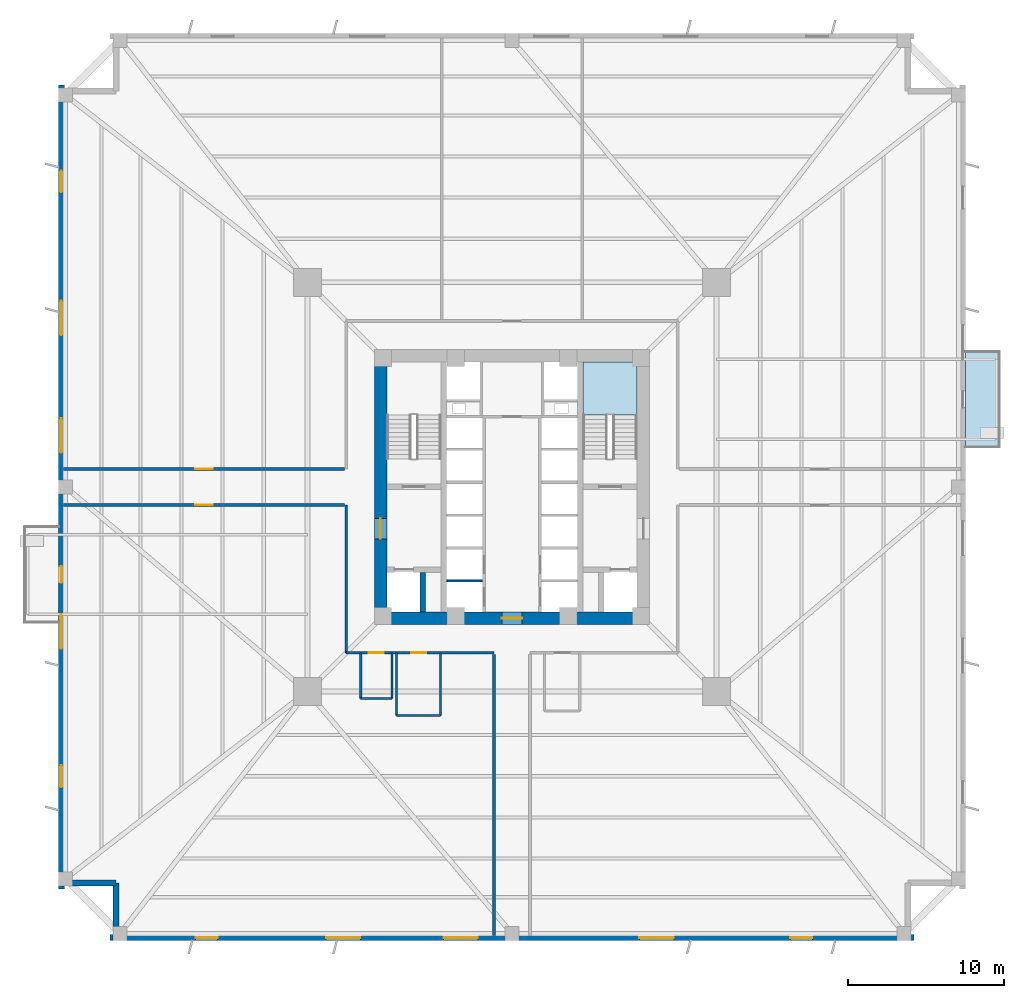
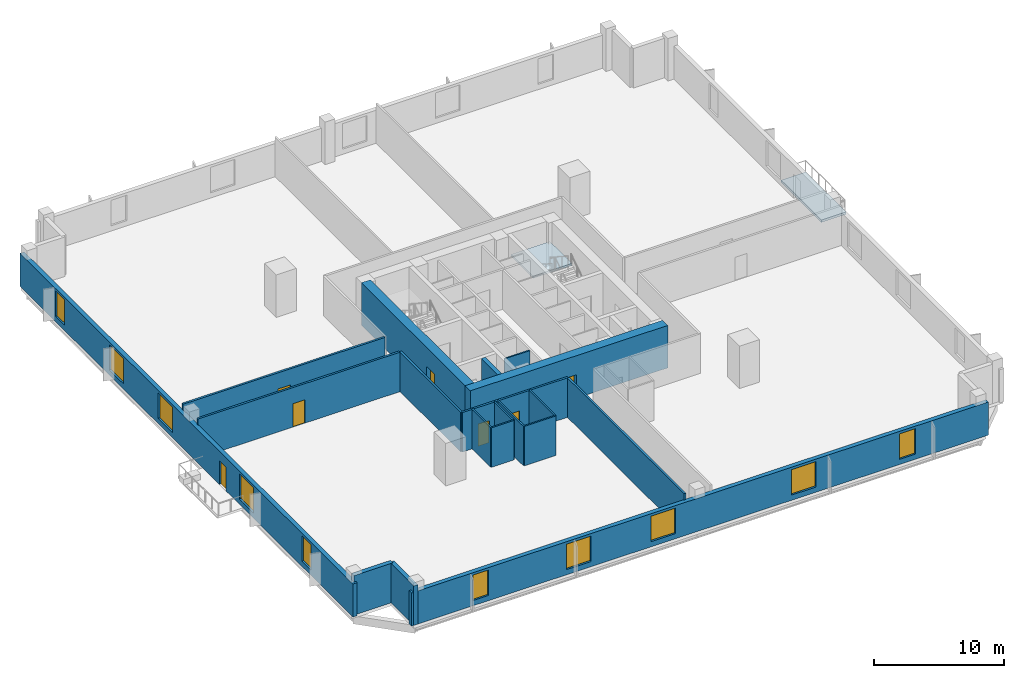
# One storey, part 2 of 8: 19 walls, 10 windows, 7 doors, 2 slabs, 17 openings, 1 element without a shape of its own.
"""IFC4 building model written with IfcOpenShell, lengths in metres."""

from ifc_helpers import new_model, si_unit, direction, frame, frame_2d, origin, place, context, subcontext, project, spatial, polyline, rectangle, outline, extrude, source, transform, mapped, material, layer, layer_set, type_object, element, fill, aggregate, save


model = new_model("IFC4")

# Units and contexts
model_context = context("Model", 3, precision=1e-05, world=origin(), true_north=direction((0.0, 1.0)))
body_context = subcontext(model_context, "Body", "Model", "MODEL_VIEW")
ifc_project = project(units=[si_unit("LENGTHUNIT", "METRE"), si_unit("AREAUNIT", "SQUARE_METRE"), si_unit("VOLUMEUNIT", "CUBIC_METRE"), si_unit("PLANEANGLEUNIT", "RADIAN"), si_unit("MASSUNIT", "GRAM", prefix="KILO"), si_unit("THERMODYNAMICTEMPERATUREUNIT", "KELVIN")], contexts=[model_context])

# Site, building, storey
site_placement = place(None, origin())
site = spatial("IfcSite", under=ifc_project, at=site_placement, CompositionType="ELEMENT")
building_placement = place(site_placement, origin())
building = spatial("IfcBuilding", under=site, at=building_placement, Name="Kosmvard Interchange Tower", CompositionType="ELEMENT")
storey_placement = place(building_placement, frame((0.0, 0.0, 34.0)))
storey = spatial("IfcBuildingStorey", under=building, at=storey_placement, Name="L07", CompositionType="ELEMENT", Elevation=34.0)

# Stair, slab
ifc_material_1 = material(Name="Concrete C50/60", Category="concrete")
stair_type = type_object("IfcStairType", Name="Dog-Leg Core Exit Stair H4000 C50/60", PredefinedType="HALF_TURN_STAIR", material=ifc_material_1)
stair_placement = place(storey_placement, origin())
stair = element("IfcStair", 1, at=stair_placement, inside=storey, type_object=stair_type, Name="L07 Protected Exit Stair ST-2", PredefinedType="HALF_TURN_STAIR")
ifc_layer_1 = layer(ifc_material_1, 0.199951171875, Name="Concrete C50/60")
ifc_layer_set_1 = layer_set([ifc_layer_1], Name="Concrete C50/60")
slab_type_1 = type_object("IfcSlabType", Name="Stair Half-Landing Slab 200 C50/60", PredefinedType="LANDING", material=ifc_layer_set_1)
slab_1_placement = place(storey_placement, frame((0.0, 0.0, 1.800048828125)))
slab_1 = element("IfcSlab", 2, at=slab_1_placement, type_object=slab_type_1, Name="ST-2 landing 1", PredefinedType="LANDING", context=body_context, shape_type="SweptSolid", body=[
    extrude(outline(polyline([(8.0, 4.60009765625), (8.0, 8.0), (4.5400390625, 8.0), (4.5400390625, 4.60009765625), (8.0, 4.60009765625)])), origin(), (0.0, 0.0, 1.0), 0.199951171875),
])
aggregate(stair, [slab_1])

# Slab
ifc_layer_2 = layer(ifc_material_1, 0.22998046875, Name="Concrete C50/60")
ifc_layer_set_2 = layer_set([ifc_layer_2], Name="Concrete C50/60")
slab_type_2 = type_object("IfcSlabType", Name="Tree-Planter Cantilever Balcony Slab 230 C50/60", PredefinedType="FLOOR", material=ifc_layer_set_2)
slab_2_placement = place(storey_placement, frame((0.0, 0.0, -0.22998046875)))
element("IfcSlab", 3, at=slab_2_placement, inside=storey, type_object=slab_type_2, Name="L07 Outdoor Terrace Balcony Slab BAL-L07-E", PredefinedType="FLOOR", context=body_context, shape_type="SweptSolid", body=[
    extrude(outline(polyline([(29.0, 2.5), (31.199951171875, 2.5), (31.199951171875, 8.699951171875), (29.0, 8.699951171875), (29.0, 2.5)])), origin(), (0.0, 0.0, 1.0), 0.22998046875),
])

# Wall, openings, doors
ifc_material_2 = material(Name="Fire-rated gypsum partition system")
ifc_layer_3 = layer(ifc_material_2, 0.179931640625, Name="Fire-rated gypsum partition system")
ifc_layer_set_3 = layer_set([ifc_layer_3], Name="Fire-rated gypsum partition system")
wall_type_1 = type_object("IfcWallType", Name="Corridor & Hotel Compartment Partition 180", PredefinedType="PARTITIONING", material=ifc_layer_set_3)
wall_1_placement = place(storey_placement, frame((-10.60009765625, -10.60009765625, 0.0), z_axis=(0.0, 0.0, 1.0), x_axis=(1.0, 0.0, 0.0)))
wall_1 = element("IfcWall", 4, at=wall_1_placement, inside=storey, type_object=wall_type_1, Name="L07 Corridor Wall CSW", PredefinedType="PARTITIONING", context=body_context, shape_type="SweptSolid", body=[
    extrude(rectangle(XDim=9.4501953125, YDim=0.179931640625, at=frame_2d((4.72509765625, 0.0))), origin(), (0.0, 0.0, 1.0), 3.719970703125),
])
opening_1_placement = place(wall_1_placement, frame((1.455078125, 0.0, 0.0)))
opening_1 = element("IfcOpeningElement", 5, at=opening_1_placement, cuts=wall_1, Name="Opening L07-D01", PredefinedType="OPENING", context=body_context, shape_type="SweptSolid", body=[
    extrude(rectangle(XDim=0.949951171875, YDim=2.10009765625, at=frame_2d((0.47509765625, 1.050048828125))), frame((0.0, 0.10009765625, 0.0), z_axis=(0.0, -1.0, 0.0), x_axis=(1.0, 0.0, 0.0)), (0.0, 0.0, 1.0), 0.199951171875),
])
opening_2_placement = place(wall_1_placement, frame((4.154052734375, 0.0, 0.0)))
opening_2 = element("IfcOpeningElement", 6, at=opening_2_placement, cuts=wall_1, Name="Opening L07-D03", PredefinedType="OPENING", context=body_context, shape_type="SweptSolid", body=[
    extrude(rectangle(XDim=0.949951171875, YDim=2.10009765625, at=frame_2d((0.47509765625, 1.050048828125))), frame((0.0, 0.10009765625, 0.0), z_axis=(0.0, -1.0, 0.0), x_axis=(1.0, 0.0, 0.0)), (0.0, 0.0, 1.0), 0.199951171875),
])
ifc_material_3 = material(Name="Laminated moisture-resistant timber", Category="wood")
door_type_1 = type_object("IfcDoorType", Name="Accessible Washroom Door 950x2100", OperationType="NOTDEFINED", PredefinedType="DOOR", material=ifc_material_3)
shared_shape_1 = source(origin(), body_context, "Body", "SweptSolid", [
    extrude(rectangle(XDim=0.949951171875, YDim=2.10009765625, at=frame_2d((0.47509765625, 1.050048828125))), frame((0.0, 0.02490234375, 0.0), z_axis=(0.0, -1.0, 0.0), x_axis=(1.0, 0.0, 0.0)), (0.0, 0.0, 1.0), 0.050048828125),
])
door_1_placement = place(opening_1_placement, frame((0.949951171875, 0.0, 0.0), z_axis=(0.0, 0.0, 1.0), x_axis=(-1.0, 0.0, 0.0)))
door_1 = element("IfcDoor", 7, at=door_1_placement, inside=storey, type_object=door_type_1, Name="L07 Accessible Toilet Door", OperationType="SINGLE_SWING_LEFT", OverallHeight=2.10009765625, OverallWidth=0.949951171875, PredefinedType="DOOR", context=body_context, shape_type="MappedRepresentation", body=[
    mapped(shared_shape_1, transform((0.0, 0.0, 0.0), scale=1.0)),
])
fill(opening_1, door_1)
door_2_placement = place(opening_2_placement, frame((0.949951171875, 0.0, 0.0), z_axis=(0.0, 0.0, 1.0), x_axis=(-1.0, 0.0, 0.0)))
door_2 = element("IfcDoor", 8, at=door_2_placement, inside=storey, type_object=door_type_1, Name="L07 Staff Catering Pantry Door", OperationType="SINGLE_SWING_LEFT", OverallHeight=2.10009765625, OverallWidth=0.949951171875, PredefinedType="DOOR", context=body_context, shape_type="MappedRepresentation", body=[
    mapped(shared_shape_1, transform((0.0, 0.0, 0.0), scale=1.0)),
])
fill(opening_2, door_2)

# Wall
wall_2_placement = place(storey_placement, frame((-10.60009765625, -10.60009765625, 0.0), z_axis=(0.0, 0.0, 1.0), x_axis=(0.0, 1.0, 0.0)))
element("IfcWall", 9, at=wall_2_placement, inside=storey, type_object=wall_type_1, Name="L07 Corridor Wall CWS", PredefinedType="PARTITIONING", context=body_context, shape_type="SweptSolid", body=[
    extrude(rectangle(XDim=9.4501953125, YDim=0.179931640625, at=frame_2d((4.72509765625, 0.0))), origin(), (0.0, 0.0, 1.0), 3.719970703125),
])

# Wall, opening, door
wall_3_placement = place(storey_placement, frame((-28.68505859375, -1.14990234375, 0.0), z_axis=(0.0, 0.0, 1.0), x_axis=(1.0, 0.0, 0.0)))
wall_3 = element("IfcWall", 10, at=wall_3_placement, inside=storey, type_object=wall_type_1, Name="L07 Corridor Wall SWS", PredefinedType="PARTITIONING", context=body_context, shape_type="SweptSolid", body=[
    extrude(rectangle(XDim=17.985107421875, YDim=0.179931640625, at=frame_2d((8.99267578125, 0.0))), origin(), (0.0, 0.0, 1.0), 3.719970703125),
])
opening_3_placement = place(wall_3_placement, frame((8.4423828125, 0.0, 0.0)))
opening_3 = element("IfcOpeningElement", 11, at=opening_3_placement, cuts=wall_3, Name="Opening L07-D08", PredefinedType="OPENING", context=body_context, shape_type="SweptSolid", body=[
    extrude(rectangle(XDim=1.10009765625, YDim=2.199951171875, at=frame_2d((0.550048828125, 1.10009765625))), frame((0.0, 0.10009765625, 0.0), z_axis=(0.0, -1.0, 0.0), x_axis=(1.0, 0.0, 0.0)), (0.0, 0.0, 1.0), 0.199951171875),
])
ifc_material_4 = material(Name="Engineered oak fire-rated timber", Category="wood")
door_type_2 = type_object("IfcDoorType", Name="Office Suite Entrance Door 1100x2200 FD30S", OperationType="NOTDEFINED", PredefinedType="DOOR", material=ifc_material_4)
shared_shape_2 = source(origin(), body_context, "Body", "SweptSolid", [
    extrude(rectangle(XDim=1.10009765625, YDim=2.199951171875, at=frame_2d((0.550048828125, 1.10009765625))), frame((0.0, 0.02490234375, 0.0), z_axis=(0.0, -1.0, 0.0), x_axis=(1.0, 0.0, 0.0)), (0.0, 0.0, 1.0), 0.050048828125),
])
door_3_placement = place(opening_3_placement, frame((1.10009765625, 0.0, 0.0), z_axis=(0.0, 0.0, 1.0), x_axis=(-1.0, 0.0, 0.0)))
door_3 = element("IfcDoor", 12, at=door_3_placement, inside=storey, type_object=door_type_2, Name="L07 South-West Open Plan Workplace Door", OperationType="SINGLE_SWING_RIGHT", OverallHeight=2.199951171875, OverallWidth=1.10009765625, PredefinedType="DOOR", context=body_context, shape_type="MappedRepresentation", body=[
    mapped(shared_shape_2, transform((0.0, 0.0, 0.0), scale=1.0)),
])
fill(opening_3, door_3)

wall_4_placement = place(storey_placement, frame((-28.68505859375, 1.14990234375, 0.0), z_axis=(0.0, 0.0, 1.0), x_axis=(1.0, 0.0, 0.0)))
wall_4 = element("IfcWall", 13, at=wall_4_placement, inside=storey, type_object=wall_type_1, Name="L07 Corridor Wall SWN", PredefinedType="PARTITIONING", context=body_context, shape_type="SweptSolid", body=[
    extrude(rectangle(XDim=17.985107421875, YDim=0.179931640625, at=frame_2d((8.99267578125, 0.0))), origin(), (0.0, 0.0, 1.0), 3.719970703125),
])
opening_4_placement = place(wall_4_placement, frame((8.4423828125, 0.0, 0.0)))
opening_4 = element("IfcOpeningElement", 14, at=opening_4_placement, cuts=wall_4, Name="Opening L07-D04", PredefinedType="OPENING", context=body_context, shape_type="SweptSolid", body=[
    extrude(rectangle(XDim=1.10009765625, YDim=2.199951171875, at=frame_2d((0.550048828125, 1.10009765625))), frame((0.0, 0.10009765625, 0.0), z_axis=(0.0, -1.0, 0.0), x_axis=(1.0, 0.0, 0.0)), (0.0, 0.0, 1.0), 0.199951171875),
])
door_4_placement = place(opening_4_placement, origin())
door_4 = element("IfcDoor", 15, at=door_4_placement, inside=storey, type_object=door_type_2, Name="L07 North-West Open Plan Workplace Door", OperationType="SINGLE_SWING_RIGHT", OverallHeight=2.199951171875, OverallWidth=1.10009765625, PredefinedType="DOOR", context=body_context, shape_type="MappedRepresentation", body=[
    mapped(shared_shape_2, transform((0.0, 0.0, 0.0), scale=1.0)),
])
fill(opening_4, door_4)

# Wall
wall_5_placement = place(storey_placement, frame((-1.14990234375, -28.68505859375, 0.0), z_axis=(0.0, 0.0, 1.0), x_axis=(0.0, 1.0, 0.0)))
element("IfcWall", 16, at=wall_5_placement, inside=storey, type_object=wall_type_1, Name="L07 Corridor Wall SSW", PredefinedType="PARTITIONING", context=body_context, shape_type="SweptSolid", body=[
    extrude(rectangle(XDim=17.985107421875, YDim=0.179931640625, at=frame_2d((8.99267578125, 0.0))), origin(), (0.0, 0.0, 1.0), 3.719970703125),
])

# Wall, opening, door
ifc_material_5 = material(Name="Concrete C80/95", Category="concrete")
ifc_layer_4 = layer(ifc_material_5, 0.800048828125, Name="Concrete C80/95")
ifc_layer_set_4 = layer_set([ifc_layer_4], Name="Concrete C80/95")
wall_type_2 = type_object("IfcWallType", Name="Lower Core Shear Wall 800 C80/95", PredefinedType="SHEAR", material=ifc_layer_set_4)
wall_6_placement = place(storey_placement, frame((-8.800048828125, -8.39990234375, 0.0), z_axis=(0.0, 0.0, 1.0), x_axis=(1.0, 0.0, 0.0)))
wall_6 = element("IfcWall", 17, at=wall_6_placement, inside=storey, type_object=wall_type_2, Name="L07 Core Shear Wall CW-S", PredefinedType="SHEAR", context=body_context, shape_type="SweptSolid", body=[
    extrude(rectangle(XDim=17.60009765625, YDim=0.800048828125, at=frame_2d((8.800048828125, 0.0))), origin(), (0.0, 0.0, 1.0), 4.0),
])
opening_5_placement = place(wall_6_placement, frame((8.14990234375, 0.0, 0.0)))
opening_5 = element("IfcOpeningElement", 18, at=opening_5_placement, cuts=wall_6, Name="Opening L07-LD0", PredefinedType="OPENING", context=body_context, shape_type="SweptSolid", body=[
    extrude(rectangle(XDim=1.300048828125, YDim=2.199951171875, at=frame_2d((0.64990234375, 1.10009765625))), frame((0.0, 0.41015625, 0.0), z_axis=(0.0, -1.0, 0.0), x_axis=(1.0, 0.0, 0.0)), (0.0, 0.0, 1.0), 0.820068359375),
])
ifc_material_6 = material(Name="Painted fire-rated steel leaf", Category="steel")
door_type_3 = type_object("IfcDoorType", Name="Firefighting Lobby Door 1300x2200 EI60", OperationType="NOTDEFINED", PredefinedType="DOOR", material=ifc_material_6)
shared_shape_3 = source(origin(), body_context, "Body", "SweptSolid", [
    extrude(rectangle(XDim=1.300048828125, YDim=2.199951171875, at=frame_2d((0.64990234375, 1.10009765625))), frame((0.0, 0.02490234375, 0.0), z_axis=(0.0, -1.0, 0.0), x_axis=(1.0, 0.0, 0.0)), (0.0, 0.0, 1.0), 0.050048828125),
])
door_5_placement = place(opening_5_placement, frame((1.300048828125, 0.0, 0.0), z_axis=(0.0, 0.0, 1.0), x_axis=(-1.0, 0.0, 0.0)))
door_5 = element("IfcDoor", 19, at=door_5_placement, inside=storey, type_object=door_type_3, Name="L07 Passenger Lift Lobby South Door", OperationType="SINGLE_SWING_RIGHT", OverallHeight=2.199951171875, OverallWidth=1.300048828125, PredefinedType="DOOR", context=body_context, shape_type="MappedRepresentation", body=[
    mapped(shared_shape_3, transform((0.0, 0.0, 0.0), scale=1.0)),
])
fill(opening_5, door_5)

wall_7_placement = place(storey_placement, frame((-8.39990234375, -8.0, 0.0), z_axis=(0.0, 0.0, 1.0), x_axis=(0.0, 1.0, 0.0)))
wall_7 = element("IfcWall", 20, at=wall_7_placement, inside=storey, type_object=wall_type_2, Name="L07 Core Shear Wall CW-W", PredefinedType="SHEAR", context=body_context, shape_type="SweptSolid", body=[
    extrude(rectangle(XDim=16.0, YDim=0.800048828125, at=frame_2d((8.0, 0.0))), origin(), (0.0, 0.0, 1.0), 4.0),
])
opening_6_placement = place(wall_7_placement, frame((4.68994140625, 0.0, 0.0)))
opening_6 = element("IfcOpeningElement", 21, at=opening_6_placement, cuts=wall_7, Name="Opening L07-FD1", PredefinedType="OPENING", context=body_context, shape_type="SweptSolid", body=[
    extrude(rectangle(XDim=1.300048828125, YDim=2.199951171875, at=frame_2d((0.64990234375, 1.10009765625))), frame((0.0, 0.41015625, 0.0), z_axis=(0.0, -1.0, 0.0), x_axis=(1.0, 0.0, 0.0)), (0.0, 0.0, 1.0), 0.820068359375),
])
door_6_placement = place(opening_6_placement, frame((1.300048828125, 0.0, 0.0), z_axis=(0.0, 0.0, 1.0), x_axis=(-1.0, 0.0, 0.0)))
door_6 = element("IfcDoor", 22, at=door_6_placement, inside=storey, type_object=door_type_3, Name="L07 Firefighting Lobby West Door", OperationType="SINGLE_SWING_LEFT", OverallHeight=2.199951171875, OverallWidth=1.300048828125, PredefinedType="DOOR", context=body_context, shape_type="MappedRepresentation", body=[
    mapped(shared_shape_3, transform((0.0, 0.0, 0.0), scale=1.0)),
])
fill(opening_6, door_6)

# Wall, openings, windows
ifc_material_7 = material(Name="Precast concrete C45/55", Category="concrete")
ifc_layer_5 = layer(ifc_material_7, 0.3798828125, Name="Precast concrete C45/55")
ifc_layer_set_5 = layer_set([ifc_layer_5], Name="Precast concrete C45/55")
wall_type_3 = type_object("IfcWallType", Name="Lower Tower Precast Pier Wall 380 C45/55", PredefinedType="STANDARD", material=ifc_layer_set_5)
wall_8_placement = place(storey_placement, frame((-25.68994140625, -28.81005859375, 0.0), z_axis=(0.0, 0.0, 1.0), x_axis=(1.0, 0.0, 0.0)))
wall_8 = element("IfcWall", 23, at=wall_8_placement, inside=storey, type_object=wall_type_3, Name="L07 Precast Facade Wall F-S", PredefinedType="STANDARD", context=body_context, shape_type="SweptSolid", body=[
    extrude(rectangle(XDim=51.3798828125, YDim=0.3798828125, at=frame_2d((25.68994140625, 0.0))), origin(), (0.0, 0.0, 1.0), 3.1201171875),
])
opening_7_placement = place(wall_8_placement, frame((5.465576171875, 0.0, 0.489990234375)))
opening_7 = element("IfcOpeningElement", 24, at=opening_7_placement, cuts=wall_8, Name="Opening L07-W01", PredefinedType="OPENING", context=body_context, shape_type="SweptSolid", body=[
    extrude(rectangle(XDim=1.39990234375, YDim=2.39990234375, at=frame_2d((0.699951171875, 1.199951171875))), frame((0.0, 0.199951171875, 0.0), z_axis=(0.0, -1.0, 0.0), x_axis=(1.0, 0.0, 0.0)), (0.0, 0.0, 1.0), 0.39990234375),
])
opening_8_placement = place(wall_8_placement, frame((13.80029296875, 0.0, 0.489990234375)))
opening_8 = element("IfcOpeningElement", 25, at=opening_8_placement, cuts=wall_8, Name="Opening L07-W02", PredefinedType="OPENING", context=body_context, shape_type="SweptSolid", body=[
    extrude(rectangle(XDim=2.199951171875, YDim=2.39990234375, at=frame_2d((1.10009765625, 1.199951171875))), frame((0.0, 0.199951171875, 0.0), z_axis=(0.0, -1.0, 0.0), x_axis=(1.0, 0.0, 0.0)), (0.0, 0.0, 1.0), 0.39990234375),
])
opening_9_placement = place(wall_8_placement, frame((21.3125, 0.0, 0.489990234375)))
opening_9 = element("IfcOpeningElement", 26, at=opening_9_placement, cuts=wall_8, Name="Opening L07-W03", PredefinedType="OPENING", context=body_context, shape_type="SweptSolid", body=[
    extrude(rectangle(XDim=2.199951171875, YDim=2.39990234375, at=frame_2d((1.10009765625, 1.199951171875))), frame((0.0, 0.199951171875, 0.0), z_axis=(0.0, -1.0, 0.0), x_axis=(1.0, 0.0, 0.0)), (0.0, 0.0, 1.0), 0.39990234375),
])
opening_10_placement = place(wall_8_placement, frame((33.83837890625, 0.0, 0.489990234375)))
opening_10 = element("IfcOpeningElement", 27, at=opening_10_placement, cuts=wall_8, Name="Opening L07-W04", PredefinedType="OPENING", context=body_context, shape_type="SweptSolid", body=[
    extrude(rectangle(XDim=2.199951171875, YDim=2.39990234375, at=frame_2d((1.10009765625, 1.199951171875))), frame((0.0, 0.199951171875, 0.0), z_axis=(0.0, -1.0, 0.0), x_axis=(1.0, 0.0, 0.0)), (0.0, 0.0, 1.0), 0.39990234375),
])
opening_11_placement = place(wall_8_placement, frame((43.48681640625, 0.0, 0.489990234375)))
opening_11 = element("IfcOpeningElement", 28, at=opening_11_placement, cuts=wall_8, Name="Opening L07-W05", PredefinedType="OPENING", context=body_context, shape_type="SweptSolid", body=[
    extrude(rectangle(XDim=1.39990234375, YDim=2.39990234375, at=frame_2d((0.699951171875, 1.199951171875))), frame((0.0, 0.199951171875, 0.0), z_axis=(0.0, -1.0, 0.0), x_axis=(1.0, 0.0, 0.0)), (0.0, 0.0, 1.0), 0.39990234375),
])
ifc_material_8 = material(Name="Low-E solar-control double glazing", Category="glass")
window_type_1 = type_object("IfcWindowType", Name="Notched Corner Feature Window 1400x2400", PartitioningType="SINGLE_PANEL", PredefinedType="WINDOW", material=ifc_material_8)
shared_shape_4 = source(origin(), body_context, "Body", "SweptSolid", [
    extrude(rectangle(XDim=1.39990234375, YDim=2.39990234375, at=frame_2d((0.699951171875, 1.199951171875))), frame((0.0, 0.030029296875, 0.0), z_axis=(0.0, -1.0, 0.0), x_axis=(1.0, 0.0, 0.0)), (0.0, 0.0, 1.0), 0.06005859375),
])
window_1_placement = place(opening_7_placement, origin())
window_1 = element("IfcWindow", 29, at=window_1_placement, inside=storey, type_object=window_type_1, Name="L07 Facade Punched Window 01", OverallHeight=2.39990234375, OverallWidth=1.39990234375, PartitioningType="SINGLE_PANEL", PredefinedType="WINDOW", context=body_context, shape_type="MappedRepresentation", body=[
    mapped(shared_shape_4, transform((0.0, 0.0, 0.0), scale=1.0)),
])
fill(opening_7, window_1)
window_2_placement = place(opening_11_placement, origin())
window_2 = element("IfcWindow", 30, at=window_2_placement, inside=storey, type_object=window_type_1, Name="L07 Facade Punched Window 05", OverallHeight=2.39990234375, OverallWidth=1.39990234375, PartitioningType="SINGLE_PANEL", PredefinedType="WINDOW", context=body_context, shape_type="MappedRepresentation", body=[
    mapped(shared_shape_4, transform((0.0, 0.0, 0.0), scale=1.0)),
])
fill(opening_11, window_2)
window_type_2 = type_object("IfcWindowType", Name="Zone 1 Office Punched Window 2200x2400", PartitioningType="SINGLE_PANEL", PredefinedType="WINDOW", material=ifc_material_8)
shared_shape_5 = source(origin(), body_context, "Body", "SweptSolid", [
    extrude(rectangle(XDim=2.199951171875, YDim=2.39990234375, at=frame_2d((1.10009765625, 1.199951171875))), frame((0.0, 0.030029296875, 0.0), z_axis=(0.0, -1.0, 0.0), x_axis=(1.0, 0.0, 0.0)), (0.0, 0.0, 1.0), 0.06005859375),
])
window_3_placement = place(opening_8_placement, origin())
window_3 = element("IfcWindow", 31, at=window_3_placement, inside=storey, type_object=window_type_2, Name="L07 Facade Punched Window 02", OverallHeight=2.39990234375, OverallWidth=2.199951171875, PartitioningType="SINGLE_PANEL", PredefinedType="WINDOW", context=body_context, shape_type="MappedRepresentation", body=[
    mapped(shared_shape_5, transform((0.0, 0.0, 0.0), scale=1.0)),
])
fill(opening_8, window_3)
window_4_placement = place(opening_9_placement, origin())
window_4 = element("IfcWindow", 32, at=window_4_placement, inside=storey, type_object=window_type_2, Name="L07 Facade Punched Window 03", OverallHeight=2.39990234375, OverallWidth=2.199951171875, PartitioningType="SINGLE_PANEL", PredefinedType="WINDOW", context=body_context, shape_type="MappedRepresentation", body=[
    mapped(shared_shape_5, transform((0.0, 0.0, 0.0), scale=1.0)),
])
fill(opening_9, window_4)
window_5_placement = place(opening_10_placement, origin())
window_5 = element("IfcWindow", 33, at=window_5_placement, inside=storey, type_object=window_type_2, Name="L07 Facade Punched Window 04", OverallHeight=2.39990234375, OverallWidth=2.199951171875, PartitioningType="SINGLE_PANEL", PredefinedType="WINDOW", context=body_context, shape_type="MappedRepresentation", body=[
    mapped(shared_shape_5, transform((0.0, 0.0, 0.0), scale=1.0)),
])
fill(opening_10, window_5)

# Wall, openings, door, windows
wall_9_placement = place(storey_placement, frame((-28.81005859375, 25.68994140625, 0.0), z_axis=(0.0, 0.0, 1.0), x_axis=(0.0, -1.0, 0.0)))
wall_9 = element("IfcWall", 34, at=wall_9_placement, inside=storey, type_object=wall_type_3, Name="L07 Precast Facade Wall F-W", PredefinedType="STANDARD", context=body_context, shape_type="SweptSolid", body=[
    extrude(rectangle(XDim=51.3798828125, YDim=0.3798828125, at=frame_2d((25.68994140625, 0.0))), origin(), (0.0, 0.0, 1.0), 3.1201171875),
])
opening_12_placement = place(wall_9_placement, frame((30.764892578125, 0.0, 0.0)))
opening_12 = element("IfcOpeningElement", 35, at=opening_12_placement, cuts=wall_9, Name="Opening L07-BDW", PredefinedType="OPENING", context=body_context, shape_type="SweptSolid", body=[
    extrude(rectangle(XDim=1.050048828125, YDim=2.25, at=frame_2d((0.52490234375, 1.125))), frame((0.0, 0.199951171875, 0.0), z_axis=(0.0, -1.0, 0.0), x_axis=(1.0, 0.0, 0.0)), (0.0, 0.0, 1.0), 0.39990234375),
])
opening_13_placement = place(wall_9_placement, frame((5.465576171875, 0.0, 0.489990234375)))
opening_13 = element("IfcOpeningElement", 36, at=opening_13_placement, cuts=wall_9, Name="Opening L07-W16", PredefinedType="OPENING", context=body_context, shape_type="SweptSolid", body=[
    extrude(rectangle(XDim=1.39990234375, YDim=2.39990234375, at=frame_2d((0.699951171875, 1.199951171875))), frame((0.0, 0.199951171875, 0.0), z_axis=(0.0, -1.0, 0.0), x_axis=(1.0, 0.0, 0.0)), (0.0, 0.0, 1.0), 0.39990234375),
])
opening_14_placement = place(wall_9_placement, frame((13.80029296875, 0.0, 0.489990234375)))
opening_14 = element("IfcOpeningElement", 37, at=opening_14_placement, cuts=wall_9, Name="Opening L07-W17", PredefinedType="OPENING", context=body_context, shape_type="SweptSolid", body=[
    extrude(rectangle(XDim=2.199951171875, YDim=2.39990234375, at=frame_2d((1.10009765625, 1.199951171875))), frame((0.0, 0.199951171875, 0.0), z_axis=(0.0, -1.0, 0.0), x_axis=(1.0, 0.0, 0.0)), (0.0, 0.0, 1.0), 0.39990234375),
])
opening_15_placement = place(wall_9_placement, frame((21.3125, 0.0, 0.489990234375)))
opening_15 = element("IfcOpeningElement", 38, at=opening_15_placement, cuts=wall_9, Name="Opening L07-W18", PredefinedType="OPENING", context=body_context, shape_type="SweptSolid", body=[
    extrude(rectangle(XDim=2.199951171875, YDim=2.39990234375, at=frame_2d((1.10009765625, 1.199951171875))), frame((0.0, 0.199951171875, 0.0), z_axis=(0.0, -1.0, 0.0), x_axis=(1.0, 0.0, 0.0)), (0.0, 0.0, 1.0), 0.39990234375),
])
opening_16_placement = place(wall_9_placement, frame((33.83837890625, 0.0, 0.489990234375)))
opening_16 = element("IfcOpeningElement", 39, at=opening_16_placement, cuts=wall_9, Name="Opening L07-W19", PredefinedType="OPENING", context=body_context, shape_type="SweptSolid", body=[
    extrude(rectangle(XDim=2.199951171875, YDim=2.39990234375, at=frame_2d((1.10009765625, 1.199951171875))), frame((0.0, 0.199951171875, 0.0), z_axis=(0.0, -1.0, 0.0), x_axis=(1.0, 0.0, 0.0)), (0.0, 0.0, 1.0), 0.39990234375),
])
opening_17_placement = place(wall_9_placement, frame((43.48681640625, 0.0, 0.489990234375)))
opening_17 = element("IfcOpeningElement", 40, at=opening_17_placement, cuts=wall_9, Name="Opening L07-W20", PredefinedType="OPENING", context=body_context, shape_type="SweptSolid", body=[
    extrude(rectangle(XDim=1.39990234375, YDim=2.39990234375, at=frame_2d((0.699951171875, 1.199951171875))), frame((0.0, 0.199951171875, 0.0), z_axis=(0.0, -1.0, 0.0), x_axis=(1.0, 0.0, 0.0)), (0.0, 0.0, 1.0), 0.39990234375),
])
ifc_material_9 = material(Name="Anodised aluminium and safety glass", Category="aluminium")
door_type_4 = type_object("IfcDoorType", Name="Tree-Balcony Glazed Door 1050x2250", OperationType="NOTDEFINED", PredefinedType="DOOR", material=ifc_material_9)
shared_shape_6 = source(origin(), body_context, "Body", "SweptSolid", [
    extrude(rectangle(XDim=1.050048828125, YDim=2.25, at=frame_2d((0.52490234375, 1.125))), frame((0.0, 0.02490234375, 0.0), z_axis=(0.0, -1.0, 0.0), x_axis=(1.0, 0.0, 0.0)), (0.0, 0.0, 1.0), 0.050048828125),
])
door_7_placement = place(opening_12_placement, origin())
door_7 = element("IfcDoor", 41, at=door_7_placement, inside=storey, type_object=door_type_4, Name="L07 Tree-Balcony Door BAL-L07-W", OperationType="SINGLE_SWING_RIGHT", OverallHeight=2.25, OverallWidth=1.050048828125, PredefinedType="DOOR", context=body_context, shape_type="MappedRepresentation", body=[
    mapped(shared_shape_6, transform((0.0, 0.0, 0.0), scale=1.0)),
])
fill(opening_12, door_7)
window_6_placement = place(opening_13_placement, origin())
window_6 = element("IfcWindow", 42, at=window_6_placement, inside=storey, type_object=window_type_1, Name="L07 Facade Punched Window 16", OverallHeight=2.39990234375, OverallWidth=1.39990234375, PartitioningType="SINGLE_PANEL", PredefinedType="WINDOW", context=body_context, shape_type="MappedRepresentation", body=[
    mapped(shared_shape_4, transform((0.0, 0.0, 0.0), scale=1.0)),
])
fill(opening_13, window_6)
window_7_placement = place(opening_17_placement, origin())
window_7 = element("IfcWindow", 43, at=window_7_placement, inside=storey, type_object=window_type_1, Name="L07 Facade Punched Window 20", OverallHeight=2.39990234375, OverallWidth=1.39990234375, PartitioningType="SINGLE_PANEL", PredefinedType="WINDOW", context=body_context, shape_type="MappedRepresentation", body=[
    mapped(shared_shape_4, transform((0.0, 0.0, 0.0), scale=1.0)),
])
fill(opening_17, window_7)
window_8_placement = place(opening_14_placement, origin())
window_8 = element("IfcWindow", 44, at=window_8_placement, inside=storey, type_object=window_type_2, Name="L07 Facade Punched Window 17", OverallHeight=2.39990234375, OverallWidth=2.199951171875, PartitioningType="SINGLE_PANEL", PredefinedType="WINDOW", context=body_context, shape_type="MappedRepresentation", body=[
    mapped(shared_shape_5, transform((0.0, 0.0, 0.0), scale=1.0)),
])
fill(opening_14, window_8)
window_9_placement = place(opening_15_placement, origin())
window_9 = element("IfcWindow", 45, at=window_9_placement, inside=storey, type_object=window_type_2, Name="L07 Facade Punched Window 18", OverallHeight=2.39990234375, OverallWidth=2.199951171875, PartitioningType="SINGLE_PANEL", PredefinedType="WINDOW", context=body_context, shape_type="MappedRepresentation", body=[
    mapped(shared_shape_5, transform((0.0, 0.0, 0.0), scale=1.0)),
])
fill(opening_15, window_9)
window_10_placement = place(opening_16_placement, origin())
window_10 = element("IfcWindow", 46, at=window_10_placement, inside=storey, type_object=window_type_2, Name="L07 Facade Punched Window 19", OverallHeight=2.39990234375, OverallWidth=2.199951171875, PartitioningType="SINGLE_PANEL", PredefinedType="WINDOW", context=body_context, shape_type="MappedRepresentation", body=[
    mapped(shared_shape_5, transform((0.0, 0.0, 0.0), scale=1.0)),
])
fill(opening_16, window_10)

# Walls
wall_10_placement = place(storey_placement, frame((-28.81005859375, -25.31005859375, 0.0), z_axis=(0.0, 0.0, 1.0), x_axis=(1.0, 0.0, 0.0)))
element("IfcWall", 47, at=wall_10_placement, inside=storey, type_object=wall_type_3, Name="L07 Precast Facade Wall N-SW1", PredefinedType="STANDARD", context=body_context, shape_type="SweptSolid", body=[
    extrude(rectangle(XDim=3.5, YDim=0.3798828125, at=frame_2d((1.75, 0.0))), origin(), (0.0, 0.0, 1.0), 3.719970703125),
])
wall_11_placement = place(storey_placement, frame((-25.31005859375, -25.31005859375, 0.0), z_axis=(0.0, 0.0, 1.0), x_axis=(0.0, -1.0, 0.0)))
element("IfcWall", 48, at=wall_11_placement, inside=storey, type_object=wall_type_3, Name="L07 Precast Facade Wall N-SW2", PredefinedType="STANDARD", context=body_context, shape_type="SweptSolid", body=[
    extrude(rectangle(XDim=3.68994140625, YDim=0.3798828125, at=frame_2d((1.844970703125, 0.0))), origin(), (0.0, 0.0, 1.0), 3.719970703125),
])
ifc_material_10 = material(Name="Fire-rated gypsum shaftwall system")
ifc_layer_6 = layer(ifc_material_10, 0.1201171875, Name="Fire-rated gypsum shaftwall system")
ifc_layer_set_6 = layer_set([ifc_layer_6], Name="Fire-rated gypsum shaftwall system")
wall_type_4 = type_object("IfcWallType", Name="Shaft & Riser Fire Partition 120 EI60", PredefinedType="PARTITIONING", material=ifc_layer_set_6)
wall_12_placement = place(storey_placement, frame((-4.159912109375, -6.0, 0.0), z_axis=(0.0, 0.0, 1.0), x_axis=(1.0, 0.0, 0.0)))
element("IfcWall", 49, at=wall_12_placement, inside=storey, type_object=wall_type_4, Name="L07 Shaft Divider PL-L1", PredefinedType="PARTITIONING", context=body_context, shape_type="SweptSolid", body=[
    extrude(rectangle(XDim=2.260009765625, YDim=0.1201171875, at=frame_2d((1.1298828125, 0.0))), origin(), (0.0, 0.0, 1.0), 3.719970703125),
])
ifc_material_11 = material(Name="Concrete C60/75", Category="concrete")
ifc_layer_7 = layer(ifc_material_11, 0.360107421875, Name="Concrete C60/75")
ifc_layer_set_7 = layer_set([ifc_layer_7], Name="Concrete C60/75")
wall_type_5 = type_object("IfcWallType", Name="Stair & Lift Shaft Shear Wall 360 C60/75", PredefinedType="SHEAR", material=ifc_layer_set_7)
wall_13_placement = place(storey_placement, frame((-5.7099609375, -8.0, 0.0), z_axis=(0.0, 0.0, 1.0), x_axis=(0.0, 1.0, 0.0)))
element("IfcWall", 50, at=wall_13_placement, inside=storey, type_object=wall_type_5, Name="L07 Shaft Shear Wall SW-SM1", PredefinedType="SHEAR", context=body_context, shape_type="SweptSolid", body=[
    extrude(rectangle(XDim=2.5400390625, YDim=0.360107421875, at=frame_2d((1.27001953125, 0.0))), origin(), (0.0, 0.0, 1.0), 4.0),
])
ifc_material_12 = material(Name="Moisture-resistant gypsum partition")
ifc_layer_8 = layer(ifc_material_12, 0.135009765625, Name="Moisture-resistant gypsum partition")
ifc_layer_set_8 = layer_set([ifc_layer_8], Name="Moisture-resistant gypsum partition")
wall_type_6 = type_object("IfcWallType", Name="Wet Room Moisture-Resistant Partition 135", PredefinedType="PARTITIONING", material=ifc_layer_set_8)
wall_14_placement = place(storey_placement, frame((-9.669921875, -13.52001953125, 0.0), z_axis=(0.0, 0.0, 1.0), x_axis=(1.0, 0.0, 0.0)))
element("IfcWall", 51, at=wall_14_placement, inside=storey, type_object=wall_type_6, Name="L07 Washroom Partition AWC1-S", PredefinedType="PARTITIONING", context=body_context, shape_type="SweptSolid", body=[
    extrude(rectangle(XDim=2.0, YDim=0.135009765625, at=frame_2d((1.0, 0.0))), origin(), (0.0, 0.0, 1.0), 3.719970703125),
])
for number, where, z_axis, x_axis, name in (
    (52, (-7.669921875, -13.52001953125, 0.0), (0.0, 0.0, 1.0), (0.0, 1.0, 0.0), "L07 Washroom Partition AWC1-E"),
    (53, (-9.669921875, -13.52001953125, 0.0), (0.0, 0.0, 1.0), (0.0, 1.0, 0.0), "L07 Washroom Partition AWC1-W"),
):
    element("IfcWall", number, at=place(storey_placement, frame(where, z_axis=z_axis, x_axis=x_axis)), inside=storey, type_object=wall_type_6, Name=name, PredefinedType="PARTITIONING", context=body_context, shape_type="SweptSolid", body=[
        extrude(rectangle(XDim=2.89990234375, YDim=0.135009765625, at=frame_2d((1.449951171875, 0.0))), origin(), (0.0, 0.0, 1.0), 3.719970703125),
    ])
wall_15_placement = place(storey_placement, frame((-7.370849609375, -14.6201171875, 0.0), z_axis=(0.0, 0.0, 1.0), x_axis=(1.0, 0.0, 0.0)))
element("IfcWall", 54, at=wall_15_placement, inside=storey, type_object=wall_type_6, Name="L07 Washroom Partition PNT1-S", PredefinedType="PARTITIONING", context=body_context, shape_type="SweptSolid", body=[
    extrude(rectangle(XDim=2.800048828125, YDim=0.135009765625, at=frame_2d((1.39990234375, 0.0))), origin(), (0.0, 0.0, 1.0), 3.719970703125),
])
for number, where, z_axis, x_axis, name in (
    (55, (-4.57080078125, -14.6201171875, 0.0), (0.0, 0.0, 1.0), (0.0, 1.0, 0.0), "L07 Washroom Partition PNT1-E"),
    (56, (-7.370849609375, -14.6201171875, 0.0), (0.0, 0.0, 1.0), (0.0, 1.0, 0.0), "L07 Washroom Partition PNT1-W"),
):
    element("IfcWall", number, at=place(storey_placement, frame(where, z_axis=z_axis, x_axis=x_axis)), inside=storey, type_object=wall_type_6, Name=name, PredefinedType="PARTITIONING", context=body_context, shape_type="SweptSolid", body=[
        extrude(rectangle(XDim=4.0, YDim=0.135009765625, at=frame_2d((2.0, 0.0))), origin(), (0.0, 0.0, 1.0), 3.719970703125),
    ])

save(model, "model.ifc")
